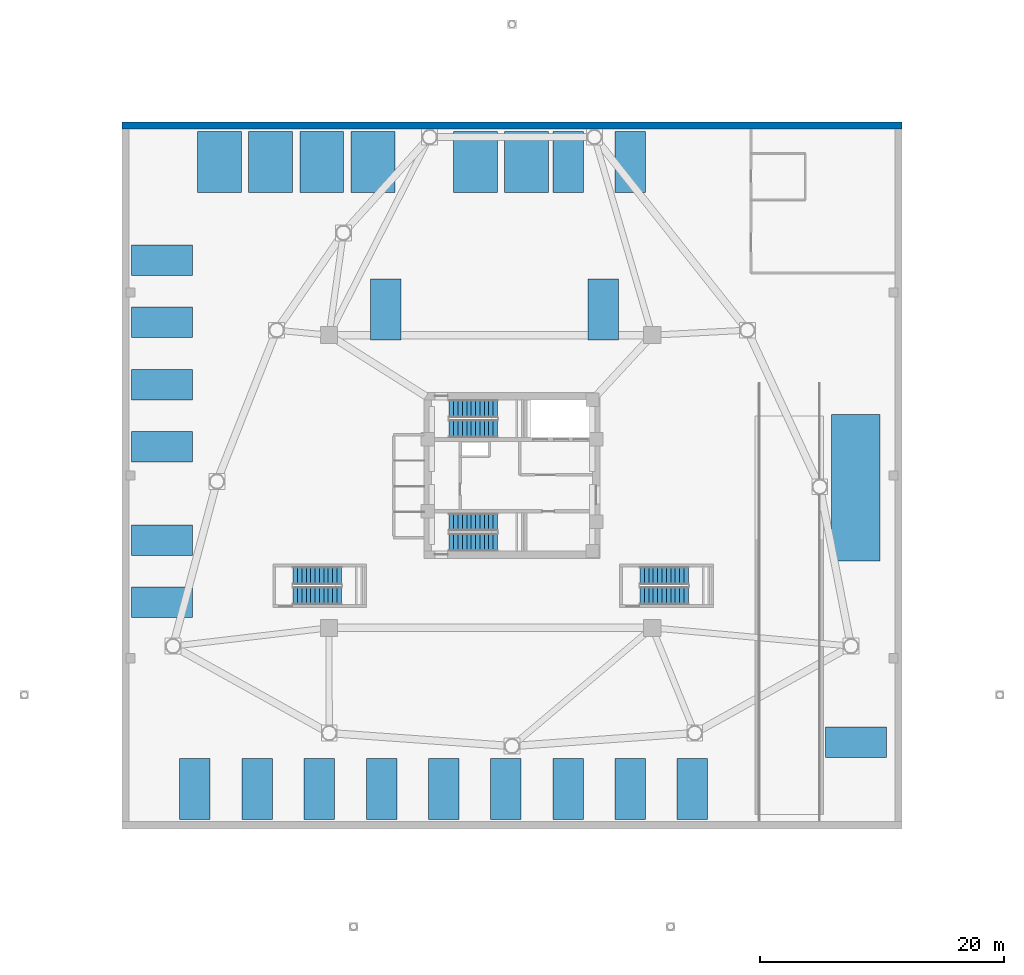
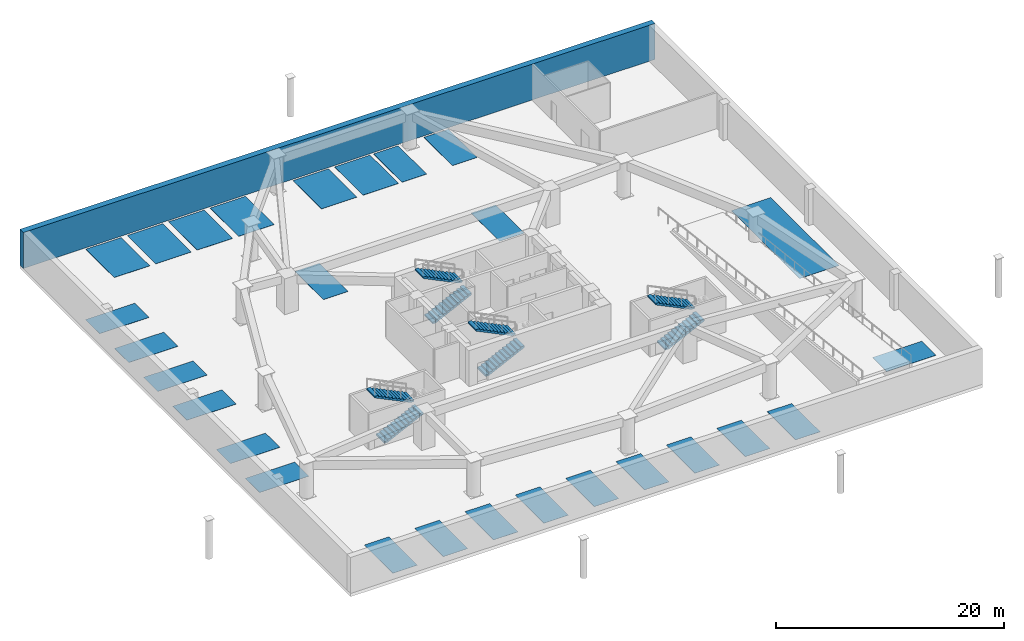
# One storey, part 6 of 9: 27 discrete accessories, 8 stair flights, 1 wall, 4 elements without a shape of their own.
"""IFC4 building model written with IfcOpenShell, lengths in metres."""

from ifc_helpers import new_model, si_unit, direction, frame, frame_2d, origin, origin_2d, place, context, subcontext, project, spatial, polyline, rectangle, outline, extrude, source, transform, mapped, material, layer, layer_set, type_object, type_shapes, element, aggregate, save


model = new_model("IFC4")

# Units and contexts
model_context = context("Model", 3, precision=1e-05, world=origin(), true_north=direction((0.0, 1.0)))
body_context = subcontext(model_context, "Body", "Model", "MODEL_VIEW")
ifc_project = project(units=[si_unit("LENGTHUNIT", "METRE"), si_unit("AREAUNIT", "SQUARE_METRE"), si_unit("VOLUMEUNIT", "CUBIC_METRE"), si_unit("PLANEANGLEUNIT", "RADIAN"), si_unit("MASSUNIT", "GRAM", prefix="KILO")], contexts=[model_context])

# Site, building, storey
site_placement = place(None, origin())
site = spatial("IfcSite", under=ifc_project, at=site_placement, CompositionType="ELEMENT")
building_placement = place(site_placement, origin())
building = spatial("IfcBuilding", under=site, at=building_placement, Name="Tavelor Broadcast Tower", CompositionType="ELEMENT")
storey_placement = place(building_placement, frame((0.0, 0.0, -4.199951171875)))
storey = spatial("IfcBuildingStorey", under=building, at=storey_placement, Name="B01", CompositionType="ELEMENT", Elevation=-4.199951171875)

# Wall
ifc_material_1 = material(Name="Concrete C40/50", Category="concrete")
ifc_layer = layer(ifc_material_1, 0.60009765625)
ifc_layer_set = layer_set([ifc_layer], Name="Concrete C40/50")
wall_type = type_object("IfcWallType", Name="Basement Retaining Wall 600 mm", PredefinedType="USERDEFINED", material=ifc_layer_set)
wall_placement = place(storey_placement, frame((18.0, 73.699951171875, 0.0), z_axis=(0.0, 0.0, 1.0), x_axis=(1.0, 0.0, 0.0)))
element("IfcWall", 1, at=wall_placement, inside=storey, type_object=wall_type, Name="B01 Basement Retaining Wall N 600 mm", ObjectType="RETAINING WALL", PredefinedType="USERDEFINED", context=body_context, shape_type="SweptSolid", body=[
    extrude(rectangle(XDim=64.0, YDim=0.60009765625, at=frame_2d((32.0, 0.0))), origin(), (0.0, 0.0, 1.0), 3.849853515625),
])

# Stair, stair flights
stair_type = type_object("IfcStairType", Name="Reinforced Concrete Protected Dogleg Stair 1450 mm", PredefinedType="HALF_TURN_STAIR", material=ifc_material_1)
stair_1_placement = place(storey_placement, origin())
stair_1 = element("IfcStair", 2, at=stair_1_placement, inside=storey, type_object=stair_type, Name="B01 Protected Core Exit Stair ST1", PredefinedType="HALF_TURN_STAIR")
stair_flight_type = type_object("IfcStairFlightType", Name="Reinforced Concrete Stair Flight 1450 mm", PredefinedType="STRAIGHT", material=ifc_material_1)
stair_flight_1_placement = place(storey_placement, frame((44.85009765625, 48.824951171875, 0.0), z_axis=(0.0, 0.0, 1.0), x_axis=(1.0, 0.0, 0.0)))
stair_flight_1 = element("IfcStairFlight", 3, at=stair_flight_1_placement, type_object=stair_flight_type, Name="ST1 flight 1", NumberOfRisers=12, NumberOfTreads=11, PredefinedType="STRAIGHT", RiserHeight=0.175, TreadLength=0.36, context=body_context, shape_type="SweptSolid", body=[
    extrude(outline(polyline([(0.0, 0.0), (0.0, 0.175048828125), (0.360107421875, 0.175048828125), (0.360107421875, 0.35009765625), (0.719970703125, 0.35009765625), (0.719970703125, 0.52490234375), (1.080078125, 0.52490234375), (1.080078125, 0.699951171875), (1.43994140625, 0.699951171875), (1.43994140625, 0.875), (1.800048828125, 0.875), (1.800048828125, 1.050048828125), (2.159912109375, 1.050048828125), (2.159912109375, 1.22509765625), (2.52001953125, 1.22509765625), (2.52001953125, 1.39990234375), (2.8798828125, 1.39990234375), (2.8798828125, 1.574951171875), (3.239990234375, 1.574951171875), (3.239990234375, 1.75), (3.60009765625, 1.75), (3.60009765625, 1.925048828125), (3.9599609375, 1.925048828125), (3.9599609375, 2.10009765625), (3.9599609375, 1.75830078125), (0.3427734375, 0.0), (0.0, 0.0)])), frame((0.0, 0.72509765625, 0.0), z_axis=(0.0, -1.0, 0.0), x_axis=(1.0, 0.0, 0.0)), (0.0, 0.0, 1.0), 1.449951171875),
])
stair_flight_2_placement = place(storey_placement, frame((48.81005859375, 50.47509765625, 2.099853515625), z_axis=(0.0, 0.0, 1.0), x_axis=(-1.0, 0.0, 0.0)))
stair_flight_2 = element("IfcStairFlight", 4, at=stair_flight_2_placement, type_object=stair_flight_type, Name="ST1 flight 2", NumberOfRisers=12, NumberOfTreads=11, PredefinedType="STRAIGHT", RiserHeight=0.175, TreadLength=0.36, context=body_context, shape_type="SweptSolid", body=[
    extrude(outline(polyline([(0.0, 0.0), (0.0, 0.175048828125), (0.360107421875, 0.175048828125), (0.360107421875, 0.35009765625), (0.719970703125, 0.35009765625), (0.719970703125, 0.52490234375), (1.080078125, 0.52490234375), (1.080078125, 0.699951171875), (1.43994140625, 0.699951171875), (1.43994140625, 0.875), (1.800048828125, 0.875), (1.800048828125, 1.050048828125), (2.159912109375, 1.050048828125), (2.159912109375, 1.22509765625), (2.52001953125, 1.22509765625), (2.52001953125, 1.39990234375), (2.8798828125, 1.39990234375), (2.8798828125, 1.574951171875), (3.239990234375, 1.574951171875), (3.239990234375, 1.75), (3.60009765625, 1.75), (3.60009765625, 1.925048828125), (3.9599609375, 1.925048828125), (3.9599609375, 2.10009765625), (3.9599609375, 1.75830078125), (0.3427734375, 0.0), (0.0, 0.0)])), frame((0.0, 0.72509765625, 0.0), z_axis=(0.0, -1.0, 0.0), x_axis=(1.0, 0.0, 0.0)), (0.0, 0.0, 1.0), 1.449951171875),
])
aggregate(stair_1, [stair_flight_1, stair_flight_2])

stair_2_placement = place(storey_placement, origin())
stair_2 = element("IfcStair", 5, at=stair_2_placement, inside=storey, type_object=stair_type, Name="B01 Protected Core Exit Stair ST2", PredefinedType="HALF_TURN_STAIR")
stair_flight_3_placement = place(storey_placement, frame((44.85009765625, 39.52490234375, 0.0), z_axis=(0.0, 0.0, 1.0), x_axis=(1.0, 0.0, 0.0)))
stair_flight_3 = element("IfcStairFlight", 6, at=stair_flight_3_placement, type_object=stair_flight_type, Name="ST2 flight 1", NumberOfRisers=12, NumberOfTreads=11, PredefinedType="STRAIGHT", RiserHeight=0.175, TreadLength=0.36, context=body_context, shape_type="SweptSolid", body=[
    extrude(outline(polyline([(0.0, 0.0), (0.0, 0.175048828125), (0.360107421875, 0.175048828125), (0.360107421875, 0.35009765625), (0.719970703125, 0.35009765625), (0.719970703125, 0.52490234375), (1.080078125, 0.52490234375), (1.080078125, 0.699951171875), (1.43994140625, 0.699951171875), (1.43994140625, 0.875), (1.800048828125, 0.875), (1.800048828125, 1.050048828125), (2.159912109375, 1.050048828125), (2.159912109375, 1.22509765625), (2.52001953125, 1.22509765625), (2.52001953125, 1.39990234375), (2.8798828125, 1.39990234375), (2.8798828125, 1.574951171875), (3.239990234375, 1.574951171875), (3.239990234375, 1.75), (3.60009765625, 1.75), (3.60009765625, 1.925048828125), (3.9599609375, 1.925048828125), (3.9599609375, 2.10009765625), (3.9599609375, 1.75830078125), (0.3427734375, 0.0), (0.0, 0.0)])), frame((0.0, 0.72509765625, 0.0), z_axis=(0.0, -1.0, 0.0), x_axis=(1.0, 0.0, 0.0)), (0.0, 0.0, 1.0), 1.449951171875),
])
stair_flight_4_placement = place(storey_placement, frame((48.81005859375, 41.175048828125, 2.099853515625), z_axis=(0.0, 0.0, 1.0), x_axis=(-1.0, 0.0, 0.0)))
stair_flight_4 = element("IfcStairFlight", 7, at=stair_flight_4_placement, type_object=stair_flight_type, Name="ST2 flight 2", NumberOfRisers=12, NumberOfTreads=11, PredefinedType="STRAIGHT", RiserHeight=0.175, TreadLength=0.36, context=body_context, shape_type="SweptSolid", body=[
    extrude(outline(polyline([(0.0, 0.0), (0.0, 0.175048828125), (0.360107421875, 0.175048828125), (0.360107421875, 0.35009765625), (0.719970703125, 0.35009765625), (0.719970703125, 0.52490234375), (1.080078125, 0.52490234375), (1.080078125, 0.699951171875), (1.43994140625, 0.699951171875), (1.43994140625, 0.875), (1.800048828125, 0.875), (1.800048828125, 1.050048828125), (2.159912109375, 1.050048828125), (2.159912109375, 1.22509765625), (2.52001953125, 1.22509765625), (2.52001953125, 1.39990234375), (2.8798828125, 1.39990234375), (2.8798828125, 1.574951171875), (3.239990234375, 1.574951171875), (3.239990234375, 1.75), (3.60009765625, 1.75), (3.60009765625, 1.925048828125), (3.9599609375, 1.925048828125), (3.9599609375, 2.10009765625), (3.9599609375, 1.75830078125), (0.3427734375, 0.0), (0.0, 0.0)])), frame((0.0, 0.72509765625, 0.0), z_axis=(0.0, -1.0, 0.0), x_axis=(1.0, 0.0, 0.0)), (0.0, 0.0, 1.0), 1.449951171875),
])
aggregate(stair_2, [stair_flight_3, stair_flight_4])

stair_3_placement = place(storey_placement, origin())
stair_3 = element("IfcStair", 8, at=stair_3_placement, inside=storey, type_object=stair_type, Name="B01 Podium West Exit Stair ST3", PredefinedType="HALF_TURN_STAIR")
stair_flight_5_placement = place(storey_placement, frame((32.050048828125, 35.125, 0.0), z_axis=(0.0, 0.0, 1.0), x_axis=(1.0, 0.0, 0.0)))
stair_flight_5 = element("IfcStairFlight", 9, at=stair_flight_5_placement, type_object=stair_flight_type, Name="ST3 flight 1", NumberOfRisers=12, NumberOfTreads=11, PredefinedType="STRAIGHT", RiserHeight=0.175, TreadLength=0.36, context=body_context, shape_type="SweptSolid", body=[
    extrude(outline(polyline([(0.0, 0.0), (0.0, 0.175048828125), (0.360107421875, 0.175048828125), (0.360107421875, 0.35009765625), (0.719970703125, 0.35009765625), (0.719970703125, 0.52490234375), (1.080078125, 0.52490234375), (1.080078125, 0.699951171875), (1.43994140625, 0.699951171875), (1.43994140625, 0.875), (1.800048828125, 0.875), (1.800048828125, 1.050048828125), (2.159912109375, 1.050048828125), (2.159912109375, 1.22509765625), (2.52001953125, 1.22509765625), (2.52001953125, 1.39990234375), (2.8798828125, 1.39990234375), (2.8798828125, 1.574951171875), (3.239990234375, 1.574951171875), (3.239990234375, 1.75), (3.60009765625, 1.75), (3.60009765625, 1.925048828125), (3.9599609375, 1.925048828125), (3.9599609375, 2.10009765625), (3.9599609375, 1.75830078125), (0.3427734375, 0.0), (0.0, 0.0)])), frame((0.0, 0.72509765625, 0.0), z_axis=(0.0, -1.0, 0.0), x_axis=(1.0, 0.0, 0.0)), (0.0, 0.0, 1.0), 1.449951171875),
])
stair_flight_6_placement = place(storey_placement, frame((36.010009765625, 36.77490234375, 2.099853515625), z_axis=(0.0, 0.0, 1.0), x_axis=(-1.0, 0.0, 0.0)))
stair_flight_6 = element("IfcStairFlight", 10, at=stair_flight_6_placement, type_object=stair_flight_type, Name="ST3 flight 2", NumberOfRisers=12, NumberOfTreads=11, PredefinedType="STRAIGHT", RiserHeight=0.175, TreadLength=0.36, context=body_context, shape_type="SweptSolid", body=[
    extrude(outline(polyline([(0.0, 0.0), (0.0, 0.175048828125), (0.360107421875, 0.175048828125), (0.360107421875, 0.35009765625), (0.719970703125, 0.35009765625), (0.719970703125, 0.52490234375), (1.080078125, 0.52490234375), (1.080078125, 0.699951171875), (1.43994140625, 0.699951171875), (1.43994140625, 0.875), (1.800048828125, 0.875), (1.800048828125, 1.050048828125), (2.159912109375, 1.050048828125), (2.159912109375, 1.22509765625), (2.52001953125, 1.22509765625), (2.52001953125, 1.39990234375), (2.8798828125, 1.39990234375), (2.8798828125, 1.574951171875), (3.239990234375, 1.574951171875), (3.239990234375, 1.75), (3.60009765625, 1.75), (3.60009765625, 1.925048828125), (3.9599609375, 1.925048828125), (3.9599609375, 2.10009765625), (3.9599609375, 1.75830078125), (0.3427734375, 0.0), (0.0, 0.0)])), frame((0.0, 0.72509765625, 0.0), z_axis=(0.0, -1.0, 0.0), x_axis=(1.0, 0.0, 0.0)), (0.0, 0.0, 1.0), 1.449951171875),
])
aggregate(stair_3, [stair_flight_5, stair_flight_6])

stair_4_placement = place(storey_placement, origin())
stair_4 = element("IfcStair", 11, at=stair_4_placement, inside=storey, type_object=stair_type, Name="B01 Podium East Exit Stair ST4", PredefinedType="HALF_TURN_STAIR")
stair_flight_7_placement = place(storey_placement, frame((60.5, 35.125, 0.0), z_axis=(0.0, 0.0, 1.0), x_axis=(1.0, 0.0, 0.0)))
stair_flight_7 = element("IfcStairFlight", 12, at=stair_flight_7_placement, type_object=stair_flight_type, Name="ST4 flight 1", NumberOfRisers=12, NumberOfTreads=11, PredefinedType="STRAIGHT", RiserHeight=0.175, TreadLength=0.36, context=body_context, shape_type="SweptSolid", body=[
    extrude(outline(polyline([(0.0, 0.0), (0.0, 0.175048828125), (0.360107421875, 0.175048828125), (0.360107421875, 0.35009765625), (0.719970703125, 0.35009765625), (0.719970703125, 0.52490234375), (1.080078125, 0.52490234375), (1.080078125, 0.699951171875), (1.43994140625, 0.699951171875), (1.43994140625, 0.875), (1.800048828125, 0.875), (1.800048828125, 1.050048828125), (2.159912109375, 1.050048828125), (2.159912109375, 1.22509765625), (2.52001953125, 1.22509765625), (2.52001953125, 1.39990234375), (2.8798828125, 1.39990234375), (2.8798828125, 1.574951171875), (3.239990234375, 1.574951171875), (3.239990234375, 1.75), (3.60009765625, 1.75), (3.60009765625, 1.925048828125), (3.9599609375, 1.925048828125), (3.9599609375, 2.10009765625), (3.9599609375, 1.75830078125), (0.3427734375, 0.0), (0.0, 0.0)])), frame((0.0, 0.72509765625, 0.0), z_axis=(0.0, -1.0, 0.0), x_axis=(1.0, 0.0, 0.0)), (0.0, 0.0, 1.0), 1.449951171875),
])
stair_flight_8_placement = place(storey_placement, frame((64.4599609375, 36.77490234375, 2.099853515625), z_axis=(0.0, 0.0, 1.0), x_axis=(-1.0, 0.0, 0.0)))
stair_flight_8 = element("IfcStairFlight", 13, at=stair_flight_8_placement, type_object=stair_flight_type, Name="ST4 flight 2", NumberOfRisers=12, NumberOfTreads=11, PredefinedType="STRAIGHT", RiserHeight=0.175, TreadLength=0.36, context=body_context, shape_type="SweptSolid", body=[
    extrude(outline(polyline([(0.0, 0.0), (0.0, 0.175048828125), (0.360107421875, 0.175048828125), (0.360107421875, 0.35009765625), (0.719970703125, 0.35009765625), (0.719970703125, 0.52490234375), (1.080078125, 0.52490234375), (1.080078125, 0.699951171875), (1.43994140625, 0.699951171875), (1.43994140625, 0.875), (1.800048828125, 0.875), (1.800048828125, 1.050048828125), (2.159912109375, 1.050048828125), (2.159912109375, 1.22509765625), (2.52001953125, 1.22509765625), (2.52001953125, 1.39990234375), (2.8798828125, 1.39990234375), (2.8798828125, 1.574951171875), (3.239990234375, 1.574951171875), (3.239990234375, 1.75), (3.60009765625, 1.75), (3.60009765625, 1.925048828125), (3.9599609375, 1.925048828125), (3.9599609375, 2.10009765625), (3.9599609375, 1.75830078125), (0.3427734375, 0.0), (0.0, 0.0)])), frame((0.0, 0.72509765625, 0.0), z_axis=(0.0, -1.0, 0.0), x_axis=(1.0, 0.0, 0.0)), (0.0, 0.0, 1.0), 1.449951171875),
])
aggregate(stair_4, [stair_flight_7, stair_flight_8])

# Discrete accessories
ifc_material_2 = material(Name="Epoxy Traffic Deck Coating", Category="other")
discrete_accessory_type_1 = type_object("IfcDiscreteAccessoryType", Name="Accessible Underground Parking Bay 3600x5000", PredefinedType="USERDEFINED", material=ifc_material_2)
shared_shape_1 = source(origin(), body_context, "Body", "SweptSolid", [
    extrude(rectangle(XDim=3.60009765625, YDim=5.0, at=origin_2d()), origin(), (0.0, 0.0, 1.0), 0.02001953125),
])
type_shapes(discrete_accessory_type_1, [shared_shape_1])
for number, where, z_axis, x_axis, name in (
    (14, (26.0, 70.699951171875, 0.0), (0.0, 0.0, 1.0), (1.0, 0.0, 0.0), "Accessible Wheelchair Parking Bay A01"),
    (15, (30.199951171875, 70.699951171875, 0.0), (0.0, 0.0, 1.0), (1.0, 0.0, 0.0), "Accessible Wheelchair Parking Bay A02"),
    (16, (34.39990234375, 70.699951171875, 0.0), (0.0, 0.0, 1.0), (1.0, 0.0, 0.0), "Accessible Wheelchair Parking Bay A03"),
    (17, (38.60009765625, 70.699951171875, 0.0), (0.0, 0.0, 1.0), (1.0, 0.0, 0.0), "Accessible Wheelchair Parking Bay A04"),
    (18, (47.0, 70.699951171875, 0.0), (0.0, 0.0, 1.0), (1.0, 0.0, 0.0), "Accessible Wheelchair Parking Bay A05"),
    (19, (51.199951171875, 70.699951171875, 0.0), (0.0, 0.0, 1.0), (1.0, 0.0, 0.0), "Accessible Wheelchair Parking Bay A06"),
):
    element("IfcDiscreteAccessory", number, at=place(storey_placement, frame(where, z_axis=z_axis, x_axis=x_axis)), inside=storey, type_object=discrete_accessory_type_1, Name=name, ObjectType="ACCESSIBLE PARKING BAY", PredefinedType="USERDEFINED", context=body_context, shape_type="MappedRepresentation", body=[
        mapped(shared_shape_1, transform((0.0, 0.0, 0.0), scale=1.0)),
    ])
discrete_accessory_type_2 = type_object("IfcDiscreteAccessoryType", Name="Standard Underground Parking Bay 2500x5000", PredefinedType="USERDEFINED", material=ifc_material_2)
shared_shape_2 = source(origin(), body_context, "Body", "SweptSolid", [
    extrude(rectangle(XDim=2.5, YDim=5.0, at=origin_2d()), origin(), (0.0, 0.0, 1.0), 0.02001953125),
])
type_shapes(discrete_accessory_type_2, [shared_shape_2])
for number, where, z_axis, x_axis, name in (
    (20, (24.0, 19.300048828125, 0.0), (0.0, 0.0, 1.0), (1.0, 0.0, 0.0), "Underground Standard Parking Bay S01"),
    (21, (29.10009765625, 19.300048828125, 0.0), (0.0, 0.0, 1.0), (1.0, 0.0, 0.0), "Underground Standard Parking Bay S02"),
    (22, (34.199951171875, 19.300048828125, 0.0), (0.0, 0.0, 1.0), (1.0, 0.0, 0.0), "Underground Standard Parking Bay S03"),
    (23, (39.300048828125, 19.300048828125, 0.0), (0.0, 0.0, 1.0), (1.0, 0.0, 0.0), "Underground Standard Parking Bay S04"),
    (24, (44.39990234375, 19.300048828125, 0.0), (0.0, 0.0, 1.0), (1.0, 0.0, 0.0), "Underground Standard Parking Bay S05"),
    (25, (49.5, 19.300048828125, 0.0), (0.0, 0.0, 1.0), (1.0, 0.0, 0.0), "Underground Standard Parking Bay S06"),
    (26, (54.60009765625, 19.300048828125, 0.0), (0.0, 0.0, 1.0), (1.0, 0.0, 0.0), "Underground Standard Parking Bay S07"),
    (27, (59.699951171875, 19.300048828125, 0.0), (0.0, 0.0, 1.0), (1.0, 0.0, 0.0), "Underground Standard Parking Bay S08"),
    (28, (64.800048828125, 19.300048828125, 0.0), (0.0, 0.0, 1.0), (1.0, 0.0, 0.0), "Underground Standard Parking Bay S09"),
    (29, (54.60009765625, 70.699951171875, 0.0), (0.0, 0.0, 1.0), (1.0, 0.0, 0.0), "Underground Standard Parking Bay S10"),
    (30, (59.699951171875, 70.699951171875, 0.0), (0.0, 0.0, 1.0), (1.0, 0.0, 0.0), "Underground Standard Parking Bay S11"),
    (31, (21.300048828125, 34.60009765625, 0.0), (0.0, 0.0, 1.0), (0.0, 1.0, 0.0), "Underground Standard Parking Bay S12"),
    (32, (21.300048828125, 39.699951171875, 0.0), (0.0, 0.0, 1.0), (0.0, 1.0, 0.0), "Underground Standard Parking Bay S13"),
    (33, (21.300048828125, 47.35009765625, 0.0), (0.0, 0.0, 1.0), (0.0, 1.0, 0.0), "Underground Standard Parking Bay S14"),
    (34, (21.300048828125, 52.449951171875, 0.0), (0.0, 0.0, 1.0), (0.0, 1.0, 0.0), "Underground Standard Parking Bay S15"),
    (35, (21.300048828125, 57.550048828125, 0.0), (0.0, 0.0, 1.0), (0.0, 1.0, 0.0), "Underground Standard Parking Bay S16"),
    (36, (21.300048828125, 62.64990234375, 0.0), (0.0, 0.0, 1.0), (0.0, 1.0, 0.0), "Underground Standard Parking Bay S17"),
    (37, (78.199951171875, 23.10009765625, 0.0), (0.0, 0.0, 1.0), (0.0, 1.0, 0.0), "Underground Standard Parking Bay S18"),
    (38, (39.64990234375, 58.60009765625, 0.0), (0.0, 0.0, 1.0), (1.0, 0.0, 0.0), "Underground Standard Parking Bay S19"),
    (39, (57.5, 58.60009765625, 0.0), (0.0, 0.0, 1.0), (1.0, 0.0, 0.0), "Underground Standard Parking Bay S20"),
):
    element("IfcDiscreteAccessory", number, at=place(storey_placement, frame(where, z_axis=z_axis, x_axis=x_axis)), inside=storey, type_object=discrete_accessory_type_2, Name=name, ObjectType="PARKING BAY", PredefinedType="USERDEFINED", context=body_context, shape_type="MappedRepresentation", body=[
        mapped(shared_shape_2, transform((0.0, 0.0, 0.0), scale=1.0)),
    ])
discrete_accessory_type_3 = type_object("IfcDiscreteAccessoryType", Name="Outside Broadcast Van Servicing Bay 4000x12000", PredefinedType="USERDEFINED", material=ifc_material_2)
shared_shape_3 = source(origin(), body_context, "Body", "SweptSolid", [
    extrude(rectangle(XDim=4.0, YDim=12.0, at=origin_2d()), origin(), (0.0, 0.0, 1.0), 0.02001953125),
])
type_shapes(discrete_accessory_type_3, [shared_shape_3])
discrete_accessory_placement = place(storey_placement, frame((78.199951171875, 44.0, 0.0), z_axis=(0.0, 0.0, 1.0), x_axis=(1.0, 0.0, 0.0)))
element("IfcDiscreteAccessory", 40, at=discrete_accessory_placement, inside=storey, type_object=discrete_accessory_type_3, Name="Outside Broadcast Van Underground Servicing Bay OB01", ObjectType="LOADING BAY", PredefinedType="USERDEFINED", context=body_context, shape_type="MappedRepresentation", body=[
    mapped(shared_shape_3, transform((0.0, 0.0, 0.0), scale=1.0)),
])

save(model, "model.ifc")
